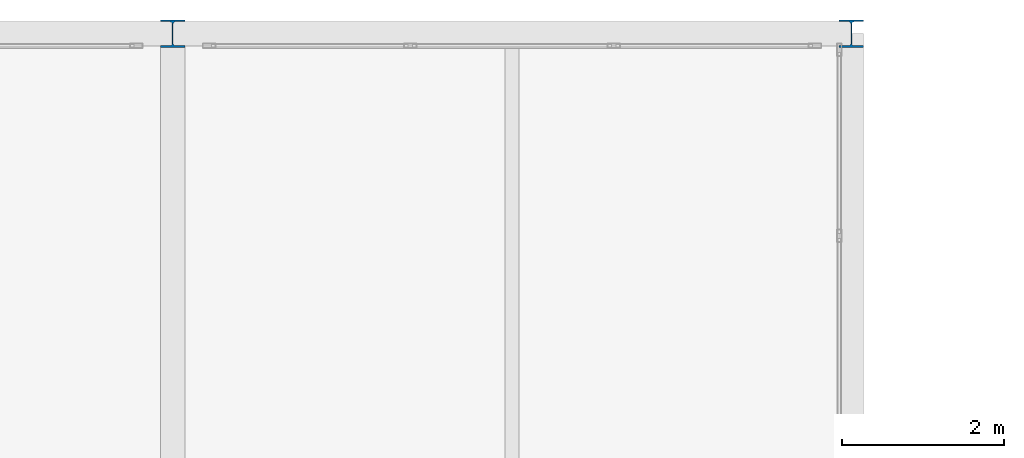
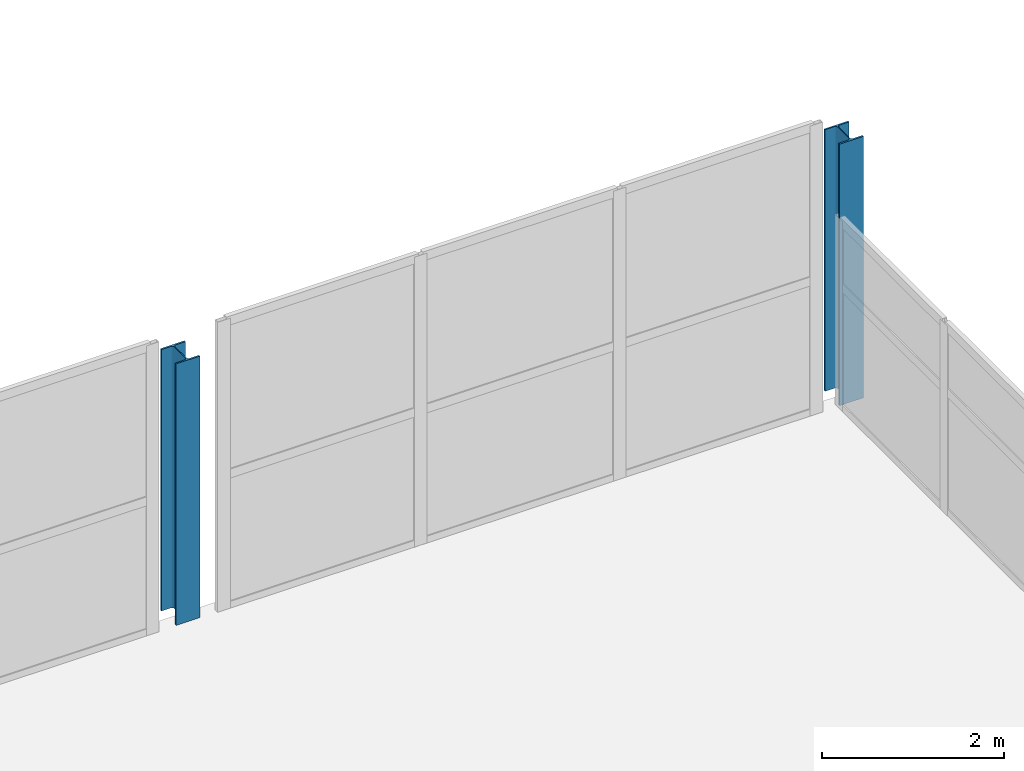
# One storey, part 8 of 103: 2 columns.
"""IFC4 building model written with IfcOpenShell, lengths in metres."""

from ifc_helpers import new_model, si_unit, direction, frame, origin, origin_2d, place, context, subcontext, project, spatial, i_section, extrude, material, material_profile, profile_set, type_object, element, save


model = new_model("IFC4")

# Units and contexts
model_context = context("Model", 3, precision=1e-05, world=origin(), true_north=direction((0.0, 1.0)))
body_context = subcontext(model_context, "Body", "Model", "MODEL_VIEW")
ifc_project = project(units=[si_unit("LENGTHUNIT", "METRE"), si_unit("AREAUNIT", "SQUARE_METRE"), si_unit("VOLUMEUNIT", "CUBIC_METRE"), si_unit("PLANEANGLEUNIT", "RADIAN"), si_unit("MASSUNIT", "GRAM", prefix="KILO")], contexts=[model_context])

# Site, building, storey
site_placement = place(None, origin())
site = spatial("IfcSite", under=ifc_project, at=site_placement, CompositionType="ELEMENT")
building_placement = place(site_placement, origin())
building = spatial("IfcBuilding", under=site, at=building_placement, Name="Veltarok Museum of Natural Sciences", CompositionType="ELEMENT")
storey_placement = place(building_placement, frame((0.0, 0.0, 21.89990234375)))
storey = spatial("IfcBuildingStorey", under=building, at=storey_placement, Name="L04", CompositionType="ELEMENT", Elevation=21.89990234375)

# Columns
ifc_material = material(Name="Steel S355J2", Category="steel")
ifc_material_profile = material_profile(ifc_material, i_section(OverallWidth=0.300048828125, OverallDepth=0.340087890625, WebThickness=0.011962890625, FlangeThickness=0.021484375, FilletRadius=0.027099609375, at=origin_2d()), Name="HEB 340")
ifc_profile_set = profile_set([ifc_material_profile], Name="Steel S355J2")
column_type = type_object("IfcColumnType", Name="Perimeter Spine Column HEB 340", PredefinedType="COLUMN", material=ifc_profile_set)
for number, where, z_axis, x_axis, name in (
    (1, (90.39990234375, 72.0, 0.0), (0.0, 0.0, 1.0), (1.0, 0.0, 0.0), "Column COL-EXT05 L04 11/H"),
    (2, (98.800048828125, 72.0, 0.0), (0.0, 0.0, 1.0), (1.0, 0.0, 0.0), "Column COL-EXT05 L04 12/H"),
):
    element("IfcColumn", number, at=place(storey_placement, frame(where, z_axis=z_axis, x_axis=x_axis)), inside=storey, type_object=column_type, Name=name, PredefinedType="COLUMN", context=body_context, shape_type="SweptSolid", body=[
        extrude(i_section(OverallWidth=0.300048828125, OverallDepth=0.340087890625, WebThickness=0.011962890625, FlangeThickness=0.021484375, FilletRadius=0.027099609375, at=origin_2d()), origin(), (0.0, 0.0, 1.0), 3.5),
    ])

save(model, "model.ifc")
